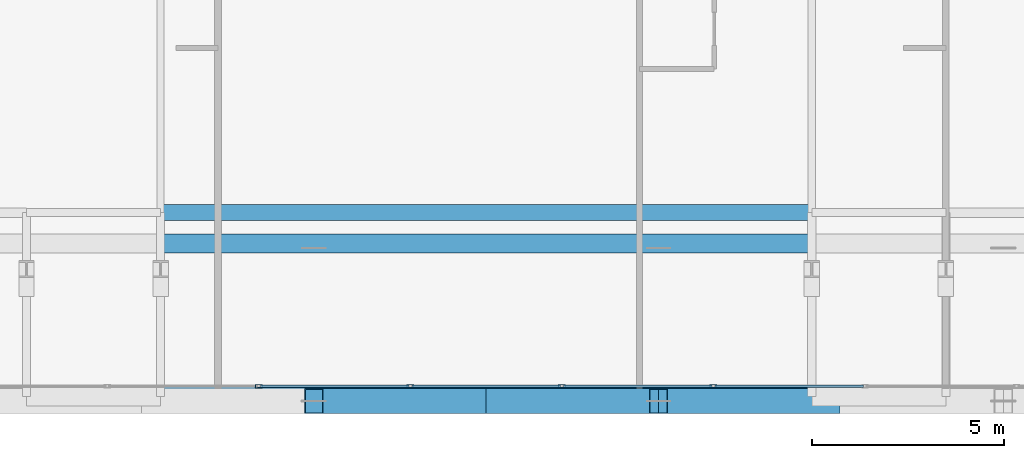
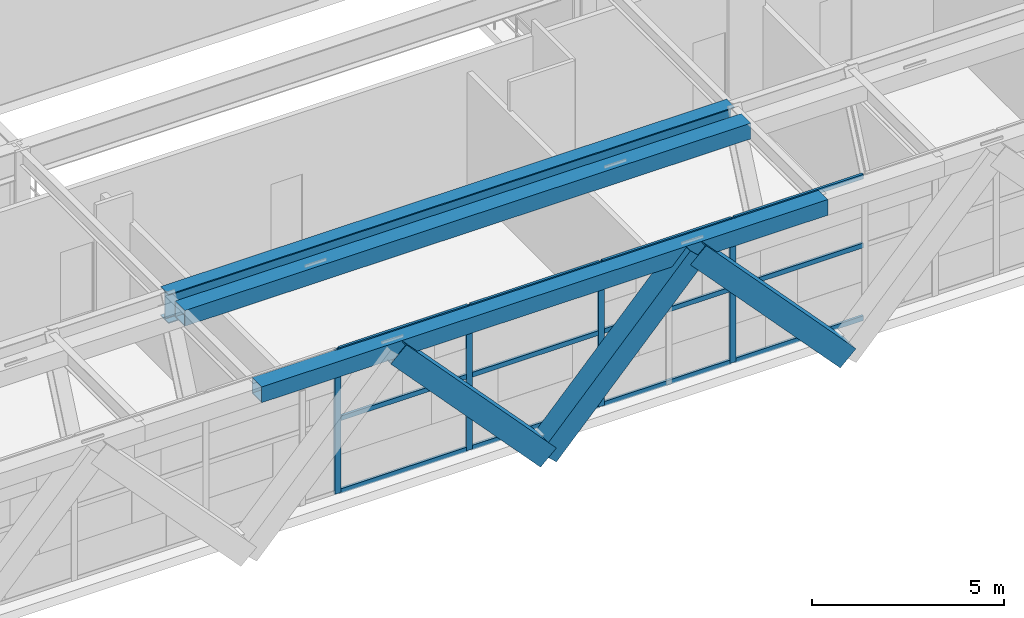
# One storey, part 4 of 35: 19 members, 3 beams, 1 element without a shape of its own.
"""IFC4 building model written with IfcOpenShell, lengths in metres."""

import ifcopenshell
import ifcopenshell.guid

model = None  # the IFC model being written
_history = None  # IfcOwnerHistory: only IFC2X3 demands one
_inside = {}  # id of a spatial element -> (the spatial element, [elements in it])
_under = {}  # id of a project, library or spatial element -> (it, [spatial elements below it])
_declared = {}  # id of a project -> (the project, [libraries it declares])
_typed = {}  # id of a type object -> (the type object, [elements of that type])
_made_of = {}  # id of a material, layer set ... -> (it, [elements and type objects made of it])


def new_model(schema):
    """Start an empty IFC model of exactly this schema.

    Asked for "IFC4X3", IfcOpenShell would pick the latest addendum, in which some entities
    have other attributes; the version numbers below select the first issue.
    IFC2X3 requires an IfcOwnerHistory on every rooted entity: one is made here for all.
    """
    global model, _history
    if schema == "IFC4X3":
        model = ifcopenshell.file(schema_version=(4, 3, 0, 0))
    else:
        model = ifcopenshell.file(schema=schema)
    _inside.clear()
    _under.clear()
    _declared.clear()
    _typed.clear()
    _made_of.clear()
    _history = None
    if model.schema == "IFC2X3":
        org = make("IfcOrganization", Name="unknown")
        user = make(
            "IfcPersonAndOrganization",
            ThePerson=make("IfcPerson", FamilyName="unknown"),
            TheOrganization=org,
        )
        app = make(
            "IfcApplication",
            ApplicationDeveloper=org,
            Version="unknown",
            ApplicationFullName="unknown",
            ApplicationIdentifier="unknown",
        )
        _history = make(
            "IfcOwnerHistory",
            OwningUser=user,
            OwningApplication=app,
            ChangeAction="ADDED",
            CreationDate=0,
        )
    return model


def make(cls, **values):
    """One entity of the class cls with the attributes given. An attribute that is None is left unset."""
    return model.create_entity(
        cls, **{name: value for name, value in values.items() if value is not None}
    )


def rooted(cls, **values):
    """An entity with a GlobalId (a new one), such as an element, a storey or a relation."""
    return make(cls, GlobalId=ifcopenshell.guid.new(), OwnerHistory=_history, **values)


def si_unit(unit_type, name, prefix=None):
    """IfcSIUnit, for example si_unit("LENGTHUNIT", "METRE", prefix="MILLI")."""
    return make("IfcSIUnit", UnitType=unit_type, Prefix=prefix, Name=name)


def assignment(units):
    """IfcUnitAssignment: the units of a project."""
    return None if units is None else make("IfcUnitAssignment", Units=units)


def point(xyz):
    """IfcCartesianPoint."""
    return None if xyz is None else make("IfcCartesianPoint", Coordinates=xyz)


def direction(xyz):
    """IfcDirection."""
    return None if xyz is None else make("IfcDirection", DirectionRatios=xyz)


def frame(location, z_axis=None, x_axis=None):
    """IfcAxis2Placement3D, a coordinate frame: its origin and axes. An axis left out is left unset."""
    return make(
        "IfcAxis2Placement3D",
        Location=point(location),
        Axis=direction(z_axis),
        RefDirection=direction(x_axis),
    )


def frame_2d(location, x_axis=None):
    """IfcAxis2Placement2D, a coordinate frame in the plane: its origin and x axis."""
    return make(
        "IfcAxis2Placement2D", Location=point(location), RefDirection=direction(x_axis)
    )


def origin():
    """The frame at (0, 0, 0) with its axes left unset."""
    return frame((0.0, 0.0, 0.0))


def origin_2d():
    """The frame at (0, 0) in the plane with its x axis left unset."""
    return frame_2d((0.0, 0.0))


def place(relative_to, where):
    """IfcLocalPlacement: puts the frame where relative to a parent placement (None: the world)."""
    return make(
        "IfcLocalPlacement", PlacementRelTo=relative_to, RelativePlacement=where
    )


def context(
    kind, dimensions, precision=None, world=None, true_north=None, identifier=None
):
    """IfcGeometricRepresentationContext, for example the 3D "Model" context."""
    return make(
        "IfcGeometricRepresentationContext",
        ContextIdentifier=identifier,
        ContextType=kind,
        CoordinateSpaceDimension=dimensions,
        Precision=precision,
        WorldCoordinateSystem=world,
        TrueNorth=true_north,
    )


def subcontext(parent, identifier, kind, view, scale=None):
    """IfcGeometricRepresentationSubContext, for example "Body" below "Model"."""
    return make(
        "IfcGeometricRepresentationSubContext",
        ContextIdentifier=identifier,
        ContextType=kind,
        ParentContext=parent,
        TargetScale=scale,
        TargetView=view,
    )


def project(units=None, contexts=None):
    """IfcProject with its units and contexts."""
    return rooted(
        "IfcProject",
        Name="project",
        RepresentationContexts=contexts,
        UnitsInContext=assignment(units),
    )


def spatial(cls, under=None, at=None, **own):
    """A site, building, storey or space (cls), placed at a placement, below another one or the project."""
    s = rooted(cls, ObjectPlacement=at, **own)
    if under is not None:
        _under.setdefault(under.id(), (under, []))[1].append(s)
    return s


def profile(cls, at=None, kind="AREA", **sizes):
    """A parametric profile (cls). Its sizes go by their IFC names, for example OverallWidth=200.0."""
    return make(cls, ProfileType=kind, Position=at, **sizes)


def hollow_rectangle(**sizes):
    """IfcRectangleHollowProfileDef."""
    return profile("IfcRectangleHollowProfileDef", **sizes)


def i_section(**sizes):
    """IfcIShapeProfileDef."""
    return profile("IfcIShapeProfileDef", **sizes)


def extrude(swept, where, along, depth):
    """IfcExtrudedAreaSolid: the profile swept, set in the frame where, extruded along a direction by depth."""
    return make(
        "IfcExtrudedAreaSolid",
        SweptArea=swept,
        Position=where,
        ExtrudedDirection=direction(along),
        Depth=depth,
    )


def shape(context_of_items, identifier, shape_type, items):
    """IfcShapeRepresentation: the items that make up one representation, for example the "Body"."""
    return make(
        "IfcShapeRepresentation",
        ContextOfItems=context_of_items,
        RepresentationIdentifier=identifier,
        RepresentationType=shape_type,
        Items=items,
    )


def source(mapping_origin, context_of_items, identifier, shape_type, items):
    """IfcRepresentationMap: a shape defined once, which mapped items show again and again."""
    return make(
        "IfcRepresentationMap",
        MappingOrigin=mapping_origin,
        MappedRepresentation=shape(context_of_items, identifier, shape_type, items),
    )


def transform(
    local_origin,
    x_axis=None,
    y_axis=None,
    z_axis=None,
    scale=None,
    scale2=None,
    scale3=None,
    uniform=True,
):
    """IfcCartesianTransformationOperator3D, or its non-uniform kind. x_axis, y_axis, z_axis: its Axis1, 2, 3."""
    if uniform:
        return make(
            "IfcCartesianTransformationOperator3D",
            Axis1=direction(x_axis),
            Axis2=direction(y_axis),
            LocalOrigin=point(local_origin),
            Scale=scale,
            Axis3=direction(z_axis),
        )
    return make(
        "IfcCartesianTransformationOperator3DnonUniform",
        Axis1=direction(x_axis),
        Axis2=direction(y_axis),
        LocalOrigin=point(local_origin),
        Scale=scale,
        Axis3=direction(z_axis),
        Scale2=scale2,
        Scale3=scale3,
    )


def mapped(mapping_source, mapping_target):
    """IfcMappedItem: shows the shape of a source again, moved by a transform."""
    return make(
        "IfcMappedItem", MappingSource=mapping_source, MappingTarget=mapping_target
    )


def material(Name=None, Category=None):
    """IfcMaterial."""
    return make("IfcMaterial", Name=Name, Category=Category)


def layer(
    of_material, thickness, ventilated=None, Name=None, Category=None, Priority=None
):
    """IfcMaterialLayer: one layer of a wall or slab, of a material (None: an air gap)."""
    return make(
        "IfcMaterialLayer",
        Material=of_material,
        LayerThickness=thickness,
        IsVentilated=ventilated,
        Name=Name,
        Category=Category,
        Priority=Priority,
    )


def layer_set(layers, Name=None):
    """IfcMaterialLayerSet."""
    return make("IfcMaterialLayerSet", MaterialLayers=layers, LayerSetName=Name)


def material_profile(
    of_material, cross_section, Name=None, Category=None, Priority=None
):
    """IfcMaterialProfile: a cross section and its material."""
    return make(
        "IfcMaterialProfile",
        Name=Name,
        Material=of_material,
        Profile=cross_section,
        Priority=Priority,
        Category=Category,
    )


def profile_set(profiles, Name=None, composite=None):
    """IfcMaterialProfileSet."""
    return make(
        "IfcMaterialProfileSet",
        Name=Name,
        MaterialProfiles=profiles,
        CompositeProfile=composite,
    )


def made_of(thing, what):
    """Note that an element or type object is made of a material, layer set ...; save() writes the relation."""
    if what is not None:
        _made_of.setdefault(what.id(), (what, []))[1].append(thing)
    return thing


def type_object(cls, material=None, **own):
    """A type object (cls), such as IfcWallType, which elements share."""
    return made_of(rooted(cls, **own), material)


def element(
    cls,
    number,
    at=None,
    inside=None,
    cuts=None,
    type_object=None,
    material=None,
    context=None,
    identifier="Body",
    shape_type=None,
    held_by="IfcProductDefinitionShape",
    body=None,
    shapes=None,
    **own,
):
    """One element of the class cls, such as IfcWall. Its Tag is "e" and its number.

    at: its placement. inside: the storey or other place that contains it. cuts: it is an
    opening in that element (IfcRelVoidsElement). A single representation is given by context,
    identifier, shape_type and body (its items); several are given by shapes. held_by: the class
    of the entity that holds the representations. save() writes the other relations.
    """
    e = rooted(cls, Tag="e%d" % number, ObjectPlacement=at, **own)
    if body is not None:
        shapes = [shape(context, identifier, shape_type, body)]
    if shapes is not None:
        e.Representation = make(held_by, Representations=shapes)
    if inside is not None:
        _inside.setdefault(inside.id(), (inside, []))[1].append(e)
    if cuts is not None:
        rooted(
            "IfcRelVoidsElement", RelatingBuildingElement=cuts, RelatedOpeningElement=e
        )
    if type_object is not None:
        _typed.setdefault(type_object.id(), (type_object, []))[1].append(e)
    return made_of(e, material)


def aggregate(whole, parts):
    """IfcRelAggregates: a whole, such as a stair, and the parts it consists of."""
    return rooted("IfcRelAggregates", RelatingObject=whole, RelatedObjects=parts)


def save(model, path):
    """Write the relations noted so far, then the file.

    IfcRelAggregates (storeys below a building ...), IfcRelContainedInSpatialStructure (elements
    in a storey), IfcRelDefinesByType, IfcRelAssociatesMaterial and IfcRelDeclares: one each for
    every whole, place, type object, material and project.
    """
    for whole, parts in _under.values():
        aggregate(whole, parts)
    for where, things in _inside.values():
        rooted(
            "IfcRelContainedInSpatialStructure",
            RelatedElements=things,
            RelatingStructure=where,
        )
    for kind, things in _typed.values():
        rooted("IfcRelDefinesByType", RelatedObjects=things, RelatingType=kind)
    for what, things in _made_of.values():
        rooted("IfcRelAssociatesMaterial", RelatedObjects=things, RelatingMaterial=what)
    for by, libraries in _declared.values():
        rooted("IfcRelDeclares", RelatingContext=by, RelatedDefinitions=libraries)
    model.write(path)


model = new_model("IFC4")

# Units and contexts
model_context = context("Model", 3, precision=1e-05, world=origin(), true_north=direction((0.0, 1.0)))
body_context = subcontext(model_context, "Body", "Model", "MODEL_VIEW")
ifc_project = project(units=[si_unit("LENGTHUNIT", "METRE"), si_unit("AREAUNIT", "SQUARE_METRE"), si_unit("VOLUMEUNIT", "CUBIC_METRE"), si_unit("PLANEANGLEUNIT", "RADIAN"), si_unit("MASSUNIT", "GRAM", prefix="KILO")], contexts=[model_context])

# Site, building, storey
site_placement = place(None, origin())
site = spatial("IfcSite", under=ifc_project, at=site_placement, CompositionType="ELEMENT")
building_placement = place(site_placement, origin())
building = spatial("IfcBuilding", under=site, at=building_placement, Name="Ocotamira Hotel", CompositionType="ELEMENT")
storey_placement = place(building_placement, frame((0.0, 0.0, 158.39990234375)))
storey = spatial("IfcBuildingStorey", under=building, at=storey_placement, Name="L39", CompositionType="ELEMENT", Elevation=158.39990234375)

# Beams
ifc_material_1 = material(Name="Steel ASTM A992 Grade 50", Category="steel")
ifc_material_profile_1 = material_profile(ifc_material_1, i_section(OverallWidth=0.41796875, OverallDepth=0.927001953125, WebThickness=0.019287109375, FlangeThickness=0.031982421875, FilletRadius=0.02392578125, at=origin_2d()), Name="W36X231")
ifc_profile_set_1 = profile_set([ifc_material_profile_1], Name="Steel ASTM A992 Grade 50")
beam_type_1 = type_object("IfcBeamType", Name="BM-GIRD-W36X231", PredefinedType="BEAM", material=ifc_profile_set_1)
shared_shape_1 = source(origin(), body_context, "Body", "SweptSolid", [
    extrude(i_section(OverallWidth=0.41796875, OverallDepth=0.927001953125, WebThickness=0.019287109375, FlangeThickness=0.031982421875, FilletRadius=0.02392578125, at=origin_2d()), origin(), (0.0, 0.0, 1.0), 17.0),
])
beam_placement = place(storey_placement, frame((23.5, 6.949951171875, 4.106689453125), z_axis=(1.0, 0.0, 0.0), x_axis=(0.0, 1.0, 0.0)))
element("IfcBeam", 1, at=beam_placement, inside=storey, type_object=beam_type_1, Name="L39 Girder Y6.95 X23.5-40.5", PredefinedType="BEAM", context=body_context, shape_type="MappedRepresentation", body=[
    mapped(shared_shape_1, transform((0.0, 0.0, 0.0), scale=1.0)),
])
ifc_material_2 = material(Name="Steel ASTM A500 Grade C", Category="steel")
ifc_material_profile_2 = material_profile(ifc_material_2, hollow_rectangle(XDim=0.5, YDim=0.5, WallThickness=0.02001953125, at=origin_2d()), Name="HSS500X500X20")
ifc_profile_set_2 = profile_set([ifc_material_profile_2], Name="Steel ASTM A500 Grade C")
beam_type_2 = type_object("IfcBeamType", Name="BM-SPAN-HSS500", PredefinedType="USERDEFINED", material=ifc_profile_set_2)
shared_shape_2 = source(origin(), body_context, "Body", "SweptSolid", [
    extrude(hollow_rectangle(XDim=0.5, YDim=0.5, WallThickness=0.02001953125, at=origin_2d()), origin(), (0.0, 0.0, 1.0), 17.0),
])
for number, where, z_axis, x_axis, name in (
    (2, (23.5, 6.14990234375, 4.320068359375), (1.0, 0.0, 0.0), (0.0, 1.0, 0.0), "L39 Inner Setback Spandrel S X23.5"),
    (3, (23.5, 2.14990234375, 4.320068359375), (1.0, 0.0, 0.0), (0.0, 1.0, 0.0), "L39 Edge Spandrel S X23.5-40.5"),
):
    element("IfcBeam", number, at=place(storey_placement, frame(where, z_axis=z_axis, x_axis=x_axis)), inside=storey, type_object=beam_type_2, Name=name, ObjectType="SPANDREL", PredefinedType="USERDEFINED", context=body_context, shape_type="MappedRepresentation", body=[
        mapped(shared_shape_2, transform((0.0, 0.0, 0.0), scale=1.0)),
    ])

# Members
ifc_material_3 = material(Name="Pale-metal coated steel ASTM A913 Grade 65", Category="steel")
ifc_material_profile_3 = material_profile(ifc_material_3, hollow_rectangle(XDim=0.64990234375, YDim=0.64990234375, WallThickness=0.02197265625, at=origin_2d()), Name="BOX650X650X22")
ifc_profile_set_3 = profile_set([ifc_material_profile_3], Name="Pale-metal coated steel ASTM A913 Grade 65")
member_type_1 = type_object("IfcMemberType", Name="MEM-EXO-BOX650", PredefinedType="BRACE", material=ifc_profile_set_3)
shared_shape_3 = source(origin(), body_context, "Body", "SweptSolid", [
    extrude(hollow_rectangle(XDim=0.64990234375, YDim=0.64990234375, WallThickness=0.02197265625, at=origin_2d()), origin(), (0.0, 0.0, 1.0), 6.615966796875),
])
for number, where, z_axis, x_axis, name in (
    (4, (32.0, 2.030029296875, -0.52978515625), (-0.680172214763, 0.0, 0.73305235711), (0.0, -1.0, 0.0), "L39 Exoskeleton Diagrid S1.2"),
    (5, (32.0, 2.030029296875, -0.52978515625), (0.680172214763, 0.0, 0.73305235711), (0.0, 1.0, 0.0), "L39 Exoskeleton Diagrid S2.1"),
    (6, (41.0, 2.030029296875, -0.52978515625), (-0.680172214763, 0.0, 0.73305235711), (0.0, -1.0, 0.0), "L39 Exoskeleton Diagrid S2.2"),
):
    element("IfcMember", number, at=place(storey_placement, frame(where, z_axis=z_axis, x_axis=x_axis)), inside=storey, type_object=member_type_1, Name=name, PredefinedType="BRACE", context=body_context, shape_type="MappedRepresentation", body=[
        mapped(shared_shape_3, transform((0.0, 0.0, 0.0), scale=1.0)),
    ])

# Curtain wall, members
ifc_material_4 = material(Name="Anodised pale-metal aluminium and solar glass", Category="aluminium")
ifc_layer = layer(ifc_material_4, 0.239990234375)
ifc_layer_set = layer_set([ifc_layer], Name="Anodised pale-metal aluminium and solar glass")
curtain_wall_type = type_object("IfcCurtainWallType", Name="CW-SYS5-SKY", PredefinedType="NOTDEFINED", material=ifc_layer_set)
curtain_wall_placement = place(storey_placement, origin())
curtain_wall = element("IfcCurtainWall", 7, at=curtain_wall_placement, inside=storey, type_object=curtain_wall_type, Name="L39 Curtain Wall CW-5 CW-L39-S1", PredefinedType="NOTDEFINED")
ifc_material_5 = material(Name="Anodised pale-metal aluminium 6063-T6", Category="aluminium")
ifc_material_profile_4 = material_profile(ifc_material_5, hollow_rectangle(XDim=0.074951171875, YDim=0.14990234375, WallThickness=0.006103515625, at=origin_2d()), Name="HSS150X75X6")
ifc_profile_set_4 = profile_set([ifc_material_profile_4], Name="Anodised pale-metal aluminium 6063-T6")
member_type_2 = type_object("IfcMemberType", Name="CWT-150X75", PredefinedType="USERDEFINED", material=ifc_profile_set_4)
shared_shape_4 = source(origin(), body_context, "Body", "SweptSolid", [
    extrude(hollow_rectangle(XDim=0.074951171875, YDim=0.14990234375, WallThickness=0.006103515625, at=origin_2d()), origin(), (0.0, 0.0, 1.0), 3.87548828125),
])
member_1_placement = place(storey_placement, frame((26.106689453125, 2.419921875, 0.03759765625), z_axis=(1.0, 0.0, 0.0), x_axis=(0.0, 1.0, 0.0)))
member_1 = element("IfcMember", 8, at=member_1_placement, type_object=member_type_2, Name="CW-5 transom 4.1", ObjectType="TRANSOM", PredefinedType="USERDEFINED", context=body_context, shape_type="MappedRepresentation", body=[
    mapped(shared_shape_4, transform((0.0, 0.0, 0.0), scale=1.0)),
])
member_2_placement = place(storey_placement, frame((26.106689453125, 2.419921875, 2.35009765625), z_axis=(1.0, 0.0, 0.0), x_axis=(0.0, 1.0, 0.0)))
member_2 = element("IfcMember", 9, at=member_2_placement, type_object=member_type_2, Name="CW-5 transom 4.2", ObjectType="TRANSOM", PredefinedType="USERDEFINED", context=body_context, shape_type="MappedRepresentation", body=[
    mapped(shared_shape_4, transform((0.0, 0.0, 0.0), scale=1.0)),
])
member_3_placement = place(storey_placement, frame((26.106689453125, 2.419921875, 4.53271484375), z_axis=(1.0, 0.0, 0.0), x_axis=(0.0, 1.0, 0.0)))
member_3 = element("IfcMember", 10, at=member_3_placement, type_object=member_type_2, Name="CW-5 transom 4.3", ObjectType="TRANSOM", PredefinedType="USERDEFINED", context=body_context, shape_type="MappedRepresentation", body=[
    mapped(shared_shape_4, transform((0.0, 0.0, 0.0), scale=1.0)),
])
member_4_placement = place(storey_placement, frame((30.062255859375, 2.419921875, 0.03759765625), z_axis=(1.0, 0.0, 0.0), x_axis=(0.0, 1.0, 0.0)))
member_4 = element("IfcMember", 11, at=member_4_placement, type_object=member_type_2, Name="CW-5 transom 5.1", ObjectType="TRANSOM", PredefinedType="USERDEFINED", context=body_context, shape_type="MappedRepresentation", body=[
    mapped(shared_shape_4, transform((0.0, 0.0, 0.0), scale=1.0)),
])
member_5_placement = place(storey_placement, frame((30.062255859375, 2.419921875, 2.35009765625), z_axis=(1.0, 0.0, 0.0), x_axis=(0.0, 1.0, 0.0)))
member_5 = element("IfcMember", 12, at=member_5_placement, type_object=member_type_2, Name="CW-5 transom 5.2", ObjectType="TRANSOM", PredefinedType="USERDEFINED", context=body_context, shape_type="MappedRepresentation", body=[
    mapped(shared_shape_4, transform((0.0, 0.0, 0.0), scale=1.0)),
])
member_6_placement = place(storey_placement, frame((30.062255859375, 2.419921875, 4.53271484375), z_axis=(1.0, 0.0, 0.0), x_axis=(0.0, 1.0, 0.0)))
member_6 = element("IfcMember", 13, at=member_6_placement, type_object=member_type_2, Name="CW-5 transom 5.3", ObjectType="TRANSOM", PredefinedType="USERDEFINED", context=body_context, shape_type="MappedRepresentation", body=[
    mapped(shared_shape_4, transform((0.0, 0.0, 0.0), scale=1.0)),
])
member_7_placement = place(storey_placement, frame((34.017822265625, 2.419921875, 0.03759765625), z_axis=(1.0, 0.0, 0.0), x_axis=(0.0, 1.0, 0.0)))
member_7 = element("IfcMember", 14, at=member_7_placement, type_object=member_type_2, Name="CW-5 transom 6.1", ObjectType="TRANSOM", PredefinedType="USERDEFINED", context=body_context, shape_type="MappedRepresentation", body=[
    mapped(shared_shape_4, transform((0.0, 0.0, 0.0), scale=1.0)),
])
member_8_placement = place(storey_placement, frame((34.017822265625, 2.419921875, 2.35009765625), z_axis=(1.0, 0.0, 0.0), x_axis=(0.0, 1.0, 0.0)))
member_8 = element("IfcMember", 15, at=member_8_placement, type_object=member_type_2, Name="CW-5 transom 6.2", ObjectType="TRANSOM", PredefinedType="USERDEFINED", context=body_context, shape_type="MappedRepresentation", body=[
    mapped(shared_shape_4, transform((0.0, 0.0, 0.0), scale=1.0)),
])
member_9_placement = place(storey_placement, frame((34.017822265625, 2.419921875, 4.53271484375), z_axis=(1.0, 0.0, 0.0), x_axis=(0.0, 1.0, 0.0)))
member_9 = element("IfcMember", 16, at=member_9_placement, type_object=member_type_2, Name="CW-5 transom 6.3", ObjectType="TRANSOM", PredefinedType="USERDEFINED", context=body_context, shape_type="MappedRepresentation", body=[
    mapped(shared_shape_4, transform((0.0, 0.0, 0.0), scale=1.0)),
])
member_10_placement = place(storey_placement, frame((37.973388671875, 2.419921875, 0.03759765625), z_axis=(1.0, 0.0, 0.0), x_axis=(0.0, 1.0, 0.0)))
member_10 = element("IfcMember", 17, at=member_10_placement, type_object=member_type_2, Name="CW-5 transom 7.1", ObjectType="TRANSOM", PredefinedType="USERDEFINED", context=body_context, shape_type="MappedRepresentation", body=[
    mapped(shared_shape_4, transform((0.0, 0.0, 0.0), scale=1.0)),
])
member_11_placement = place(storey_placement, frame((37.973388671875, 2.419921875, 2.35009765625), z_axis=(1.0, 0.0, 0.0), x_axis=(0.0, 1.0, 0.0)))
member_11 = element("IfcMember", 18, at=member_11_placement, type_object=member_type_2, Name="CW-5 transom 7.2", ObjectType="TRANSOM", PredefinedType="USERDEFINED", context=body_context, shape_type="MappedRepresentation", body=[
    mapped(shared_shape_4, transform((0.0, 0.0, 0.0), scale=1.0)),
])
member_12_placement = place(storey_placement, frame((37.973388671875, 2.419921875, 4.53271484375), z_axis=(1.0, 0.0, 0.0), x_axis=(0.0, 1.0, 0.0)))
member_12 = element("IfcMember", 19, at=member_12_placement, type_object=member_type_2, Name="CW-5 transom 7.3", ObjectType="TRANSOM", PredefinedType="USERDEFINED", context=body_context, shape_type="MappedRepresentation", body=[
    mapped(shared_shape_4, transform((0.0, 0.0, 0.0), scale=1.0)),
])
ifc_material_profile_5 = material_profile(ifc_material_5, hollow_rectangle(XDim=0.080078125, YDim=0.179931640625, WallThickness=0.006103515625, at=origin_2d()), Name="HSS180X80X6")
ifc_profile_set_5 = profile_set([ifc_material_profile_5], Name="Anodised pale-metal aluminium 6063-T6")
member_type_3 = type_object("IfcMemberType", Name="CWM-180X75", PredefinedType="MULLION", material=ifc_profile_set_5)
shared_shape_5 = source(origin(), body_context, "Body", "SweptSolid", [
    extrude(hollow_rectangle(XDim=0.080078125, YDim=0.179931640625, WallThickness=0.006103515625, at=origin_2d()), origin(), (0.0, 0.0, 1.0), 4.570068359375),
])
member_13_placement = place(storey_placement, frame((26.066650390625, 2.419921875, 0.0), z_axis=(0.0, 0.0, 1.0), x_axis=(0.0, 1.0, 0.0)))
member_13 = element("IfcMember", 20, at=member_13_placement, type_object=member_type_3, Name="CW-5 mullion 4", PredefinedType="MULLION", context=body_context, shape_type="MappedRepresentation", body=[
    mapped(shared_shape_5, transform((0.0, 0.0, 0.0), scale=1.0)),
])
member_14_placement = place(storey_placement, frame((30.022216796875, 2.419921875, 0.0), z_axis=(0.0, 0.0, 1.0), x_axis=(0.0, 1.0, 0.0)))
member_14 = element("IfcMember", 21, at=member_14_placement, type_object=member_type_3, Name="CW-5 mullion 5", PredefinedType="MULLION", context=body_context, shape_type="MappedRepresentation", body=[
    mapped(shared_shape_5, transform((0.0, 0.0, 0.0), scale=1.0)),
])
member_15_placement = place(storey_placement, frame((33.977783203125, 2.419921875, 0.0), z_axis=(0.0, 0.0, 1.0), x_axis=(0.0, 1.0, 0.0)))
member_15 = element("IfcMember", 22, at=member_15_placement, type_object=member_type_3, Name="CW-5 mullion 6", PredefinedType="MULLION", context=body_context, shape_type="MappedRepresentation", body=[
    mapped(shared_shape_5, transform((0.0, 0.0, 0.0), scale=1.0)),
])
member_16_placement = place(storey_placement, frame((37.933349609375, 2.419921875, 0.0), z_axis=(0.0, 0.0, 1.0), x_axis=(0.0, 1.0, 0.0)))
member_16 = element("IfcMember", 23, at=member_16_placement, type_object=member_type_3, Name="CW-5 mullion 7", PredefinedType="MULLION", context=body_context, shape_type="MappedRepresentation", body=[
    mapped(shared_shape_5, transform((0.0, 0.0, 0.0), scale=1.0)),
])
aggregate(curtain_wall, [member_13, member_14, member_15, member_16, member_1, member_2, member_3, member_4, member_5, member_6, member_7, member_8, member_9, member_10, member_11, member_12])

save(model, "model.ifc")
